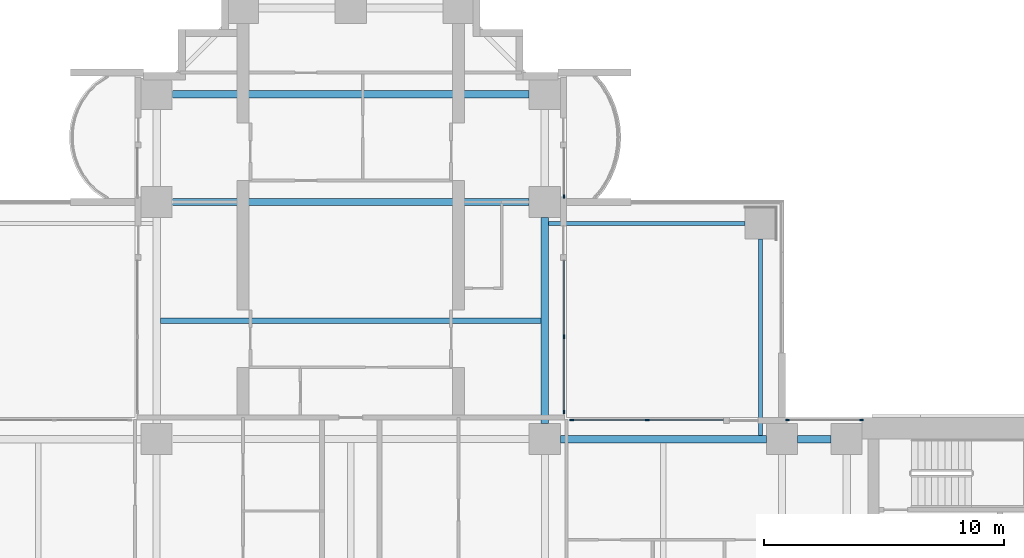
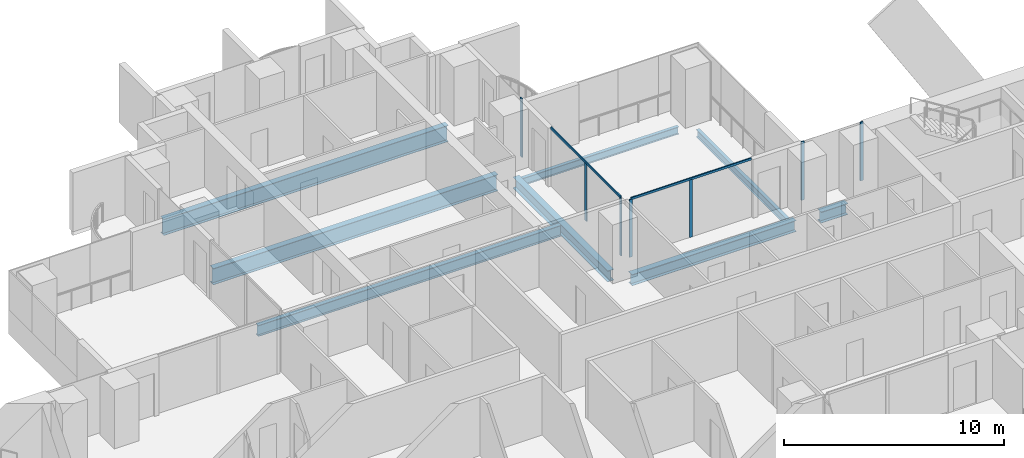
# One storey, part 7 of 22: 9 members, 8 beams, 4 elements without a shape of their own.
"""IFC4 building model written with IfcOpenShell, lengths in metres."""

from ifc_helpers import new_model, si_unit, direction, frame, origin, origin_2d, place, context, subcontext, project, spatial, rectangle, i_section, extrude, material, material_profile, profile_set, type_object, element, aggregate, save


model = new_model("IFC4")

# Units and contexts
model_context = context("Model", 3, precision=1e-05, world=origin(), true_north=direction((0.0, 1.0)))
body_context = subcontext(model_context, "Body", "Model", "MODEL_VIEW")
ifc_project = project(units=[si_unit("LENGTHUNIT", "METRE"), si_unit("AREAUNIT", "SQUARE_METRE"), si_unit("VOLUMEUNIT", "CUBIC_METRE"), si_unit("PLANEANGLEUNIT", "RADIAN"), si_unit("MASSUNIT", "GRAM", prefix="KILO")], contexts=[model_context])

# Site, building, storey
site_placement = place(None, origin())
site = spatial("IfcSite", under=ifc_project, at=site_placement, CompositionType="ELEMENT")
building_placement = place(site_placement, origin())
building = spatial("IfcBuilding", under=site, at=building_placement, Name="Perihelion Cross Residences", CompositionType="ELEMENT")
storey_placement = place(building_placement, frame((0.0, 0.0, 50.5)))
storey = spatial("IfcBuildingStorey", under=building, at=storey_placement, Name="L09", CompositionType="ELEMENT", Elevation=50.5)

# Curtain wall, members
ifc_material_1 = material(Name="Bronze anodised aluminium, tinted glazing", Category="aluminium")
curtain_wall_type = type_object("IfcCurtainWallType", Name="CW1", PredefinedType="NOTDEFINED", material=ifc_material_1)
curtain_wall_1_placement = place(storey_placement, origin())
curtain_wall_1 = element("IfcCurtainWall", 1, at=curtain_wall_1_placement, inside=storey, type_object=curtain_wall_type, Name="Curtain wall CW1 L09 east side north bay 1", PredefinedType="NOTDEFINED")
ifc_material_2 = material(Name="Bronze anodised aluminium", Category="aluminium")
ifc_material_profile_1 = material_profile(ifc_material_2, rectangle(XDim=0.06005859375, YDim=0.159912109375, at=origin_2d()), Name="CW1 mullion")
ifc_profile_set_1 = profile_set([ifc_material_profile_1], Name="Bronze anodised aluminium")
member_type_1 = type_object("IfcMemberType", Name="CW1 mullion", PredefinedType="MULLION", material=ifc_profile_set_1)
member_1_placement = place(storey_placement, frame((21.320068359375, 8.89990234375, 0.0), z_axis=(0.0, 0.0, 1.0), x_axis=(0.0, -1.0, 0.0)))
member_1 = element("IfcMember", 2, at=member_1_placement, type_object=member_type_1, Name="CW1 mullion 1", PredefinedType="MULLION", context=body_context, shape_type="SweptSolid", body=[
    extrude(rectangle(XDim=0.06005859375, YDim=0.159912109375, at=origin_2d()), origin(), (0.0, 0.0, 1.0), 3.25),
])
member_2_placement = place(storey_placement, frame((18.22998046875, 8.89990234375, 0.0), z_axis=(0.0, 0.0, 1.0), x_axis=(0.0, -1.0, 0.0)))
member_2 = element("IfcMember", 3, at=member_2_placement, type_object=member_type_1, Name="CW1 mullion 2", PredefinedType="MULLION", context=body_context, shape_type="SweptSolid", body=[
    extrude(rectangle(XDim=0.06005859375, YDim=0.159912109375, at=origin_2d()), origin(), (0.0, 0.0, 1.0), 3.25),
])
aggregate(curtain_wall_1, [member_1, member_2])

curtain_wall_2_placement = place(storey_placement, origin())
curtain_wall_2 = element("IfcCurtainWall", 4, at=curtain_wall_2_placement, inside=storey, type_object=curtain_wall_type, Name="Curtain wall CW1 L09 east side north bay 2", PredefinedType="NOTDEFINED")
member_3_placement = place(storey_placement, frame((12.375, 8.89990234375, 0.0), z_axis=(0.0, 0.0, 1.0), x_axis=(0.0, -1.0, 0.0)))
member_3 = element("IfcMember", 5, at=member_3_placement, type_object=member_type_1, Name="CW1 mullion 2", PredefinedType="MULLION", context=body_context, shape_type="SweptSolid", body=[
    extrude(rectangle(XDim=0.06005859375, YDim=0.159912109375, at=origin_2d()), origin(), (0.0, 0.0, 1.0), 3.18994140625),
])
member_4_placement = place(storey_placement, frame((9.22998046875, 8.89990234375, 0.0), z_axis=(0.0, 0.0, 1.0), x_axis=(0.0, -1.0, 0.0)))
member_4 = element("IfcMember", 6, at=member_4_placement, type_object=member_type_1, Name="CW1 mullion 3", PredefinedType="MULLION", context=body_context, shape_type="SweptSolid", body=[
    extrude(rectangle(XDim=0.06005859375, YDim=0.159912109375, at=origin_2d()), origin(), (0.0, 0.0, 1.0), 3.18994140625),
])

curtain_wall_3_placement = place(storey_placement, origin())
curtain_wall_3 = element("IfcCurtainWall", 7, at=curtain_wall_3_placement, inside=storey, type_object=curtain_wall_type, Name="Curtain wall CW1 L09 north side east bay 1", PredefinedType="NOTDEFINED")
member_5_placement = place(storey_placement, frame((8.89990234375, 9.22998046875, 0.0), z_axis=(0.0, 0.0, 1.0), x_axis=(-1.0, 0.0, 0.0)))
member_5 = element("IfcMember", 8, at=member_5_placement, type_object=member_type_1, Name="CW1 mullion 1", PredefinedType="MULLION", context=body_context, shape_type="SweptSolid", body=[
    extrude(rectangle(XDim=0.06005859375, YDim=0.159912109375, at=origin_2d()), origin(), (0.0, 0.0, 1.0), 3.18994140625),
])
member_6_placement = place(storey_placement, frame((8.89990234375, 12.375, 0.0), z_axis=(0.0, 0.0, 1.0), x_axis=(-1.0, 0.0, 0.0)))
member_6 = element("IfcMember", 9, at=member_6_placement, type_object=member_type_1, Name="CW1 mullion 2", PredefinedType="MULLION", context=body_context, shape_type="SweptSolid", body=[
    extrude(rectangle(XDim=0.06005859375, YDim=0.159912109375, at=origin_2d()), origin(), (0.0, 0.0, 1.0), 3.18994140625),
])

# Curtain wall, member
curtain_wall_4_placement = place(storey_placement, origin())
curtain_wall_4 = element("IfcCurtainWall", 10, at=curtain_wall_4_placement, inside=storey, type_object=curtain_wall_type, Name="Curtain wall CW1 L09 north side east bay 2", PredefinedType="NOTDEFINED")
member_7_placement = place(storey_placement, frame((8.89990234375, 18.22998046875, 0.0), z_axis=(0.0, 0.0, 1.0), x_axis=(-1.0, 0.0, 0.0)))
member_7 = element("IfcMember", 11, at=member_7_placement, type_object=member_type_1, Name="CW1 mullion 1", PredefinedType="MULLION", context=body_context, shape_type="SweptSolid", body=[
    extrude(rectangle(XDim=0.06005859375, YDim=0.159912109375, at=origin_2d()), origin(), (0.0, 0.0, 1.0), 3.25),
])
aggregate(curtain_wall_4, [member_7])

# Member
ifc_material_3 = material(Name="Bronze anodised aluminium", Category="aluminium")
ifc_material_profile_2 = material_profile(ifc_material_3, rectangle(XDim=0.06005859375, YDim=0.1201171875, at=origin_2d()), Name="CW1 transom")
ifc_profile_set_2 = profile_set([ifc_material_profile_2], Name="Bronze anodised aluminium")
member_type_2 = type_object("IfcMemberType", Name="CW1 transom", PredefinedType="USERDEFINED", material=ifc_profile_set_2)
member_8_placement = place(storey_placement, frame((15.550048828125, 8.89990234375, 3.219970703125), z_axis=(-1.0, 0.0, 0.0), x_axis=(0.0, -1.0, 0.0)))
member_8 = element("IfcMember", 12, at=member_8_placement, type_object=member_type_2, Name="CW1 head transom", ObjectType="TRANSOM", PredefinedType="USERDEFINED", context=body_context, shape_type="SweptSolid", body=[
    extrude(rectangle(XDim=0.06005859375, YDim=0.1201171875, at=origin_2d()), origin(), (0.0, 0.0, 1.0), 6.320068359375),
])

aggregate(curtain_wall_2, [member_3, member_4, member_8])

member_9_placement = place(storey_placement, frame((8.89990234375, 9.22998046875, 3.219970703125), z_axis=(0.0, 1.0, 0.0), x_axis=(-1.0, 0.0, 0.0)))
member_9 = element("IfcMember", 13, at=member_9_placement, type_object=member_type_2, Name="CW1 head transom", ObjectType="TRANSOM", PredefinedType="USERDEFINED", context=body_context, shape_type="SweptSolid", body=[
    extrude(rectangle(XDim=0.06005859375, YDim=0.1201171875, at=origin_2d()), origin(), (0.0, 0.0, 1.0), 6.320068359375),
])

aggregate(curtain_wall_3, [member_5, member_6, member_9])

# Beams
ifc_material_4 = material(Name="Steel S355", Category="steel")
ifc_material_profile_3 = material_profile(ifc_material_4, i_section(OverallWidth=0.177978515625, OverallDepth=0.406005859375, WebThickness=0.0078125, FlangeThickness=0.0126953125, at=origin_2d()), Name="W410x60")
ifc_profile_set_3 = profile_set([ifc_material_profile_3], Name="Steel S355")
beam_type_1 = type_object("IfcBeamType", Name="Core edge beam W410x60", PredefinedType="BEAM", material=ifc_profile_set_3)
for number, where, z_axis, x_axis, name in (
    (14, (17.10009765625, 8.262451171875, -0.452880859375), (0.0, 1.0, 0.0), (-1.0, 0.0, 0.0), "Core edge beam TB2 L09 corner no. 7"),
    (15, (8.262451171875, 17.10009765625, -0.452880859375), (1.0, 0.0, 0.0), (0.0, 1.0, 0.0), "Core edge beam TB2 L09 corner no. 8"),
):
    element("IfcBeam", number, at=place(storey_placement, frame(where, z_axis=z_axis, x_axis=x_axis)), inside=storey, type_object=beam_type_1, Name=name, PredefinedType="BEAM", context=body_context, shape_type="SweptSolid", body=[
        extrude(i_section(OverallWidth=0.177978515625, OverallDepth=0.406005859375, WebThickness=0.0078125, FlangeThickness=0.0126953125, at=origin_2d()), origin(), (0.0, 0.0, 1.0), 8.1875),
    ])
ifc_material_5 = material(Name="Steel S355", Category="steel")
ifc_material_profile_4 = material_profile(ifc_material_5, i_section(OverallWidth=0.324951171875, OverallDepth=0.616943359375, WebThickness=0.013916015625, FlangeThickness=0.021484375, at=origin_2d()), Name="W610x174")
ifc_profile_set_4 = profile_set([ifc_material_profile_4], Name="Steel S355")
beam_type_2 = type_object("IfcBeamType", Name="Edge beam W610x174", PredefinedType="SPANDREL", material=ifc_profile_set_4)
beam_1_placement = place(storey_placement, frame((20.050048828125, 8.10009765625, -0.55859375), z_axis=(-1.0, 0.0, 0.0), x_axis=(0.0, -1.0, 0.0)))
element("IfcBeam", 16, at=beam_1_placement, inside=storey, type_object=beam_type_2, Name="Edge beam SB2 L09 no. 14", PredefinedType="SPANDREL", context=body_context, shape_type="SweptSolid", body=[
    extrude(i_section(OverallWidth=0.324951171875, OverallDepth=0.616943359375, WebThickness=0.013916015625, FlangeThickness=0.021484375, at=origin_2d()), origin(), (0.0, 0.0, 1.0), 1.400146484375),
])
for number, where, z_axis, x_axis, name in (
    (17, (17.35009765625, 8.10009765625, -0.55859375), (-1.0, 0.0, 0.0), (0.0, -1.0, 0.0), "Edge beam SB2 L09 no. 13"),
    (18, (8.10009765625, 8.75, -0.55859375), (0.0, 1.0, 0.0), (-1.0, 0.0, 0.0), "Edge beam SB2 L09 no. 20"),
):
    element("IfcBeam", number, at=place(storey_placement, frame(where, z_axis=z_axis, x_axis=x_axis)), inside=storey, type_object=beam_type_2, Name=name, PredefinedType="SPANDREL", context=body_context, shape_type="SweptSolid", body=[
        extrude(i_section(OverallWidth=0.324951171875, OverallDepth=0.616943359375, WebThickness=0.013916015625, FlangeThickness=0.021484375, at=origin_2d()), origin(), (0.0, 0.0, 1.0), 8.60009765625),
    ])
ifc_material_6 = material(Name="Steel S355", Category="steel")
ifc_material_profile_5 = material_profile(ifc_material_6, i_section(OverallWidth=0.304931640625, OverallDepth=0.904052734375, WebThickness=0.01513671875, FlangeThickness=0.02001953125, at=origin_2d()), Name="W920x201")
ifc_profile_set_5 = profile_set([ifc_material_profile_5], Name="Steel S355")
beam_type_3 = type_object("IfcBeamType", Name="Floor girder W920x201", PredefinedType="BEAM", material=ifc_profile_set_5)
for number, where, z_axis, x_axis, name in (
    (19, (-7.449951171875, 18.0, -0.701904296875), (1.0, 0.0, 0.0), (0.0, 1.0, 0.0), "Girder G2 L09 no. 5"),
    (20, (-7.449951171875, 22.5, -0.701904296875), (1.0, 0.0, 0.0), (0.0, 1.0, 0.0), "Girder G2 L09 no. 6"),
):
    element("IfcBeam", number, at=place(storey_placement, frame(where, z_axis=z_axis, x_axis=x_axis)), inside=storey, type_object=beam_type_3, Name=name, PredefinedType="BEAM", context=body_context, shape_type="SweptSolid", body=[
        extrude(i_section(OverallWidth=0.304931640625, OverallDepth=0.904052734375, WebThickness=0.01513671875, FlangeThickness=0.02001953125, at=origin_2d()), origin(), (0.0, 0.0, 1.0), 14.89990234375),
    ])
ifc_material_7 = material(Name="Steel S355", Category="steel")
ifc_material_profile_6 = material_profile(ifc_material_7, i_section(OverallWidth=0.22900390625, OverallDepth=0.612060546875, WebThickness=0.011962890625, FlangeThickness=0.01953125, at=origin_2d()), Name="W610x125")
ifc_profile_set_6 = profile_set([ifc_material_profile_6], Name="Steel S355")
beam_type_4 = type_object("IfcBeamType", Name="Floor joist W610x125", PredefinedType="JOIST", material=ifc_profile_set_6)
beam_2_placement = place(storey_placement, frame((-7.9375, 13.050048828125, -0.555908203125), z_axis=(1.0, 0.0, 0.0), x_axis=(0.0, 1.0, 0.0)))
element("IfcBeam", 21, at=beam_2_placement, inside=storey, type_object=beam_type_4, Name="Joist J3 L09 no. 4", PredefinedType="JOIST", context=body_context, shape_type="SweptSolid", body=[
    extrude(i_section(OverallWidth=0.22900390625, OverallDepth=0.612060546875, WebThickness=0.011962890625, FlangeThickness=0.01953125, at=origin_2d()), origin(), (0.0, 0.0, 1.0), 15.875),
])

save(model, "model.ifc")
